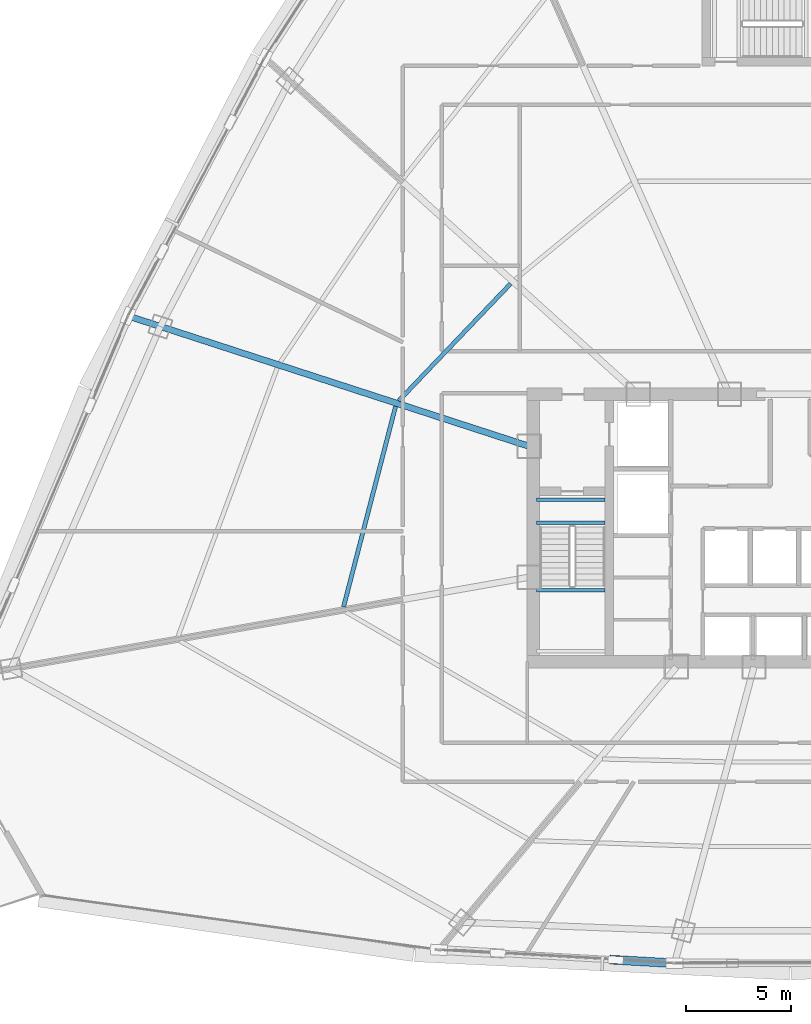
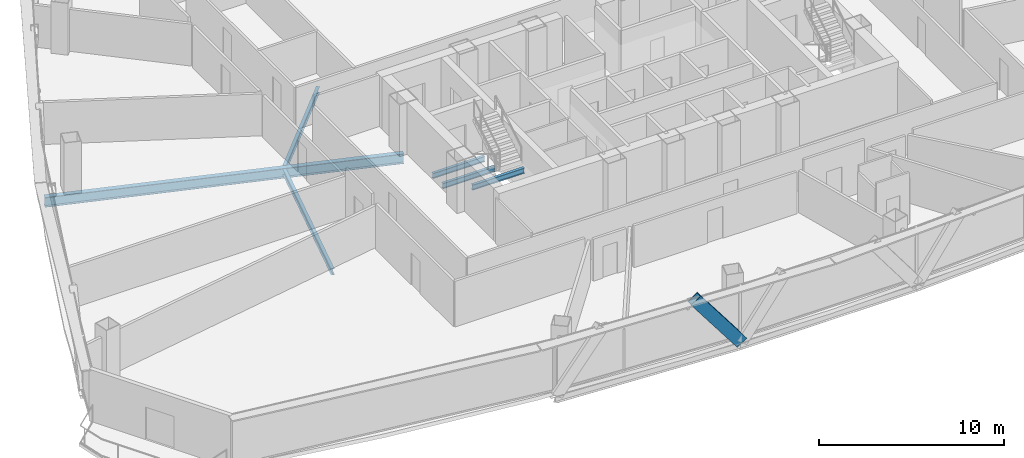
# One storey, part 9 of 39: 6 beams, 1 member.
"""IFC4 building model written with IfcOpenShell, lengths in metres."""

from ifc_helpers import new_model, si_unit, direction, frame, origin, origin_2d, place, context, subcontext, project, spatial, hollow_rectangle, i_section, extrude, source, transform, mapped, material, material_profile, profile_set, type_object, element, save


model = new_model("IFC4")

# Units and contexts
model_context = context("Model", 3, precision=1e-05, world=origin(), true_north=direction((0.0, 1.0)))
body_context = subcontext(model_context, "Body", "Model", "MODEL_VIEW")
ifc_project = project(units=[si_unit("LENGTHUNIT", "METRE"), si_unit("AREAUNIT", "SQUARE_METRE"), si_unit("VOLUMEUNIT", "CUBIC_METRE"), si_unit("PLANEANGLEUNIT", "RADIAN"), si_unit("MASSUNIT", "GRAM", prefix="KILO"), si_unit("THERMODYNAMICTEMPERATUREUNIT", "KELVIN"), si_unit("POWERUNIT", "WATT")], contexts=[model_context])

# Site, building, storey
site_placement = place(None, origin())
site = spatial("IfcSite", under=ifc_project, at=site_placement, CompositionType="ELEMENT")
building_placement = place(site_placement, origin())
building = spatial("IfcBuilding", under=site, at=building_placement, Name="Yunzhuo Pagoda Commons", CompositionType="ELEMENT")
storey_placement = place(building_placement, frame((0.0, 0.0, 144.550048828125)))
storey = spatial("IfcBuildingStorey", under=building, at=storey_placement, Name="L36", CompositionType="ELEMENT", Elevation=144.550048828125)

# Beams
ifc_material_1 = material(Name="Structural steel Q355B", Category="steel")
ifc_material_profile_1 = material_profile(ifc_material_1, i_section(OverallWidth=0.175048828125, OverallDepth=0.35009765625, WebThickness=0.007080078125, FlangeThickness=0.010986328125, at=origin_2d()), Name="Structural steel Q355B")
ifc_profile_set_1 = profile_set([ifc_material_profile_1], Name="Structural steel Q355B")
beam_type_1 = type_object("IfcBeamType", Name="B-JS2 Joist HN 350x175x7x11", PredefinedType="JOIST", material=ifc_profile_set_1)
shared_shape_1 = source(origin(), body_context, "Body", "SweptSolid", [
    extrude(i_section(OverallWidth=0.175048828125, OverallDepth=0.35009765625, WebThickness=0.007080078125, FlangeThickness=0.010986328125, at=origin_2d()), origin(), (0.0, 0.0, 1.0), 3.25),
])
for number, where, z_axis, x_axis, name in (
    (1, (35.949951171875, 30.89990234375, 1.46484375), (1.0, 0.0, 0.0), (0.0, 1.0, 0.0), "L36 ST1 landing support beam 42B"),
    (2, (35.949951171875, 34.10009765625, -0.375), (1.0, 0.0, 0.0), (0.0, 1.0, 0.0), "L36 ST1 landing support beam 140A"),
    (3, (35.949951171875, 35.199951171875, -0.375), (1.0, 0.0, 0.0), (0.0, 1.0, 0.0), "L36 ST1 landing support beam 140B"),
):
    element("IfcBeam", number, at=place(storey_placement, frame(where, z_axis=z_axis, x_axis=x_axis)), inside=storey, type_object=beam_type_1, Name=name, PredefinedType="JOIST", context=body_context, shape_type="MappedRepresentation", body=[
        mapped(shared_shape_1, transform((0.0, 0.0, 0.0), scale=1.0)),
    ])
ifc_material_profile_2 = material_profile(ifc_material_1, i_section(OverallWidth=0.199951171875, OverallDepth=0.39990234375, WebThickness=0.008056640625, FlangeThickness=0.012939453125, at=origin_2d()), Name="Structural steel Q355B")
ifc_profile_set_2 = profile_set([ifc_material_profile_2], Name="Structural steel Q355B")
beam_type_2 = type_object("IfcBeamType", Name="B-JS1 Joist HN 400x200x8x13", PredefinedType="JOIST", material=ifc_profile_set_2)
shared_shape_2 = source(origin(), body_context, "Body", "SweptSolid", [
    extrude(i_section(OverallWidth=0.199951171875, OverallDepth=0.39990234375, WebThickness=0.008056640625, FlangeThickness=0.012939453125, at=origin_2d()), origin(), (0.0, 0.0, 1.0), 9.8330078125),
])
beam_1_placement = place(storey_placement, frame((29.254638671875, 39.623779296875, -0.4599609375), z_axis=(-0.251166367041, -0.967943932295, 0.0), x_axis=(0.967943932295, -0.251166367041, 0.0)))
element("IfcBeam", 4, at=beam_1_placement, inside=storey, type_object=beam_type_2, Name="L36 composite ring joist 1.11", PredefinedType="JOIST", context=body_context, shape_type="MappedRepresentation", body=[
    mapped(shared_shape_2, transform((0.0, 0.0, 0.0), scale=1.0)),
])
shared_shape_3 = source(origin(), body_context, "Body", "SweptSolid", [
    extrude(i_section(OverallWidth=0.199951171875, OverallDepth=0.39990234375, WebThickness=0.008056640625, FlangeThickness=0.012939453125, at=origin_2d()), origin(), (0.0, 0.0, 1.0), 7.685546875),
])
beam_2_placement = place(storey_placement, frame((34.714111328125, 45.448974609375, -0.4599609375), z_axis=(-0.690882862648, -0.722966714378, 0.0), x_axis=(0.722966714378, -0.690882862648, 0.0)))
element("IfcBeam", 5, at=beam_2_placement, inside=storey, type_object=beam_type_2, Name="L36 composite ring joist 1.10", PredefinedType="JOIST", context=body_context, shape_type="MappedRepresentation", body=[
    mapped(shared_shape_3, transform((0.0, 0.0, 0.0), scale=1.0)),
])
ifc_material_profile_3 = material_profile(ifc_material_1, i_section(OverallWidth=0.300048828125, OverallDepth=0.64990234375, WebThickness=0.012939453125, FlangeThickness=0.02197265625, at=origin_2d()), Name="Structural steel Q355B")
ifc_profile_set_3 = profile_set([ifc_material_profile_3], Name="Structural steel Q355B")
beam_type_3 = type_object("IfcBeamType", Name="B-RG2 Beam HN 650x300x13x22", PredefinedType="BEAM", material=ifc_profile_set_3)
shared_shape_4 = source(origin(), body_context, "Body", "SweptSolid", [
    extrude(i_section(OverallWidth=0.300048828125, OverallDepth=0.64990234375, WebThickness=0.012939453125, FlangeThickness=0.02197265625, at=origin_2d()), origin(), (0.0, 0.0, 1.0), 19.877197265625),
])
beam_3_placement = place(storey_placement, frame((16.69580078125, 43.871337890625, -0.5849609375), z_axis=(0.951057172971, -0.309014973328, 0.0), x_axis=(0.309014973328, 0.951057172971, 0.0)))
element("IfcBeam", 6, at=beam_3_placement, inside=storey, type_object=beam_type_3, Name="L36 radial floor girder F3C3", PredefinedType="BEAM", context=body_context, shape_type="MappedRepresentation", body=[
    mapped(shared_shape_4, transform((0.0, 0.0, 0.0), scale=1.0)),
])

# Member
ifc_material_2 = material(Name="Structural steel Q420B", Category="steel")
ifc_material_profile_4 = material_profile(ifc_material_2, hollow_rectangle(XDim=0.419921875, YDim=0.719970703125, WallThickness=0.028076171875, at=origin_2d()), Name="Structural steel Q420B")
ifc_profile_set_4 = profile_set([ifc_material_profile_4], Name="Structural steel Q420B")
member_type = type_object("IfcMemberType", Name="M-DL1 Brace BOX 720x420x28", PredefinedType="BRACE", material=ifc_profile_set_4)
shared_shape_5 = source(origin(), body_context, "Body", "SweptSolid", [
    extrude(hollow_rectangle(XDim=0.419921875, YDim=0.719970703125, WallThickness=0.028076171875, at=origin_2d()), origin(), (0.0, 0.0, 1.0), 4.625),
])
member_placement = place(storey_placement, frame((42.501953125, 13.1806640625, -0.260009765625), z_axis=(-0.604745460472, 0.034259759414, 0.795681592676), x_axis=(-0.056560845928, -0.998399154, 0.0)))
element("IfcMember", 7, at=member_placement, inside=storey, type_object=member_type, Name="L36 facade diamond brace F1.1R", PredefinedType="BRACE", context=body_context, shape_type="MappedRepresentation", body=[
    mapped(shared_shape_5, transform((0.0, 0.0, 0.0), scale=1.0)),
])

save(model, "model.ifc")
